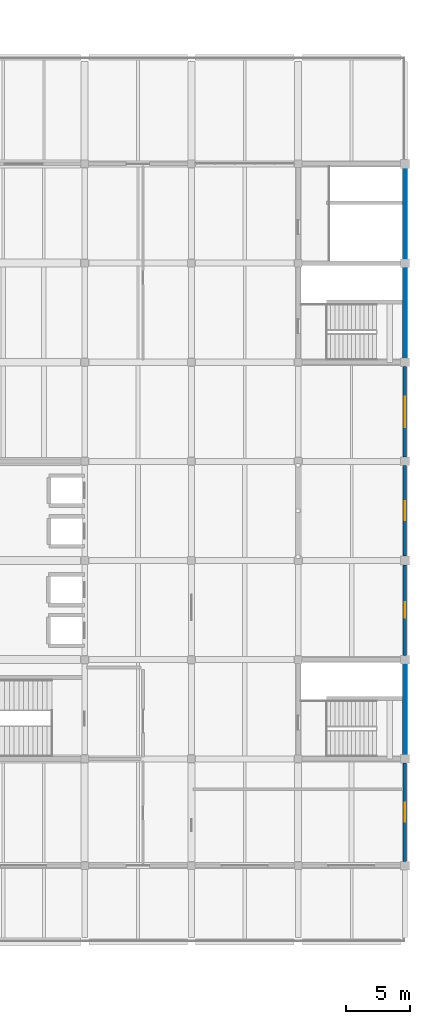
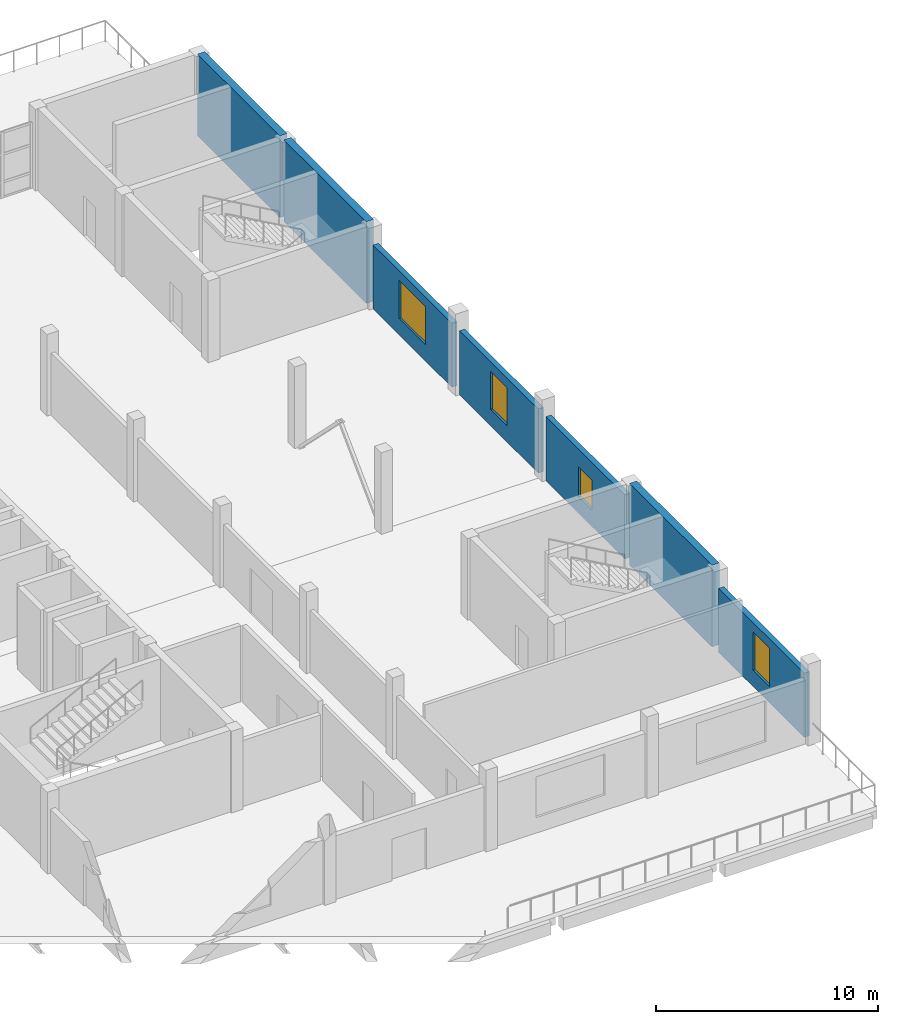
# One storey, part 60 of 71: 7 walls, 4 windows, 4 openings.
"""IFC4 building model written with IfcOpenShell, lengths in metres."""

from ifc_helpers import new_model, si_unit, direction, frame, frame_2d, origin, place, context, subcontext, project, spatial, rectangle, extrude, material, layer, layer_set, type_object, element, fill, save


model = new_model("IFC4")

# Units and contexts
model_context = context("Model", 3, precision=1e-05, world=origin(), true_north=direction((0.0, 1.0)))
body_context = subcontext(model_context, "Body", "Model", "MODEL_VIEW")
ifc_project = project(units=[si_unit("LENGTHUNIT", "METRE"), si_unit("AREAUNIT", "SQUARE_METRE"), si_unit("VOLUMEUNIT", "CUBIC_METRE"), si_unit("PLANEANGLEUNIT", "RADIAN"), si_unit("MASSUNIT", "GRAM", prefix="KILO")], contexts=[model_context])

# Site, building, storey
site_placement = place(None, origin())
site = spatial("IfcSite", under=ifc_project, at=site_placement, CompositionType="ELEMENT")
building_placement = place(site_placement, origin())
building = spatial("IfcBuilding", under=site, at=building_placement, Name="Pellamere Symphony Hall", CompositionType="ELEMENT")
storey_placement = place(building_placement, frame((0.0, 0.0, 15.0)))
storey = spatial("IfcBuildingStorey", under=building, at=storey_placement, Name="L03", CompositionType="ELEMENT", Elevation=15.0)

# Wall, opening, window
ifc_material_1 = material(Name="Architectural Limestone-Clad Insulated Backing Assembly", Category="masonry")
ifc_layer_1 = layer(ifc_material_1, 0.280029296875, Name="Architectural Limestone-Clad Insulated Backing Assembly")
ifc_layer_set_1 = layer_set([ifc_layer_1], Name="Architectural Limestone-Clad Insulated Backing Assembly")
wall_type_1 = type_object("IfcWallType", Name="Exterior Wall EW-03 280mm", PredefinedType="SOLIDWALL", material=ifc_layer_set_1)
wall_1_placement = place(storey_placement, frame((172.800048828125, 30.340087890625, 0.0), z_axis=(0.0, 0.0, 1.0), x_axis=(0.0, 1.0, 0.0)))
wall_1 = element("IfcWall", 1, at=wall_1_placement, inside=storey, type_object=wall_type_1, Name="Exterior Wall EW-03-117 (L03)", PredefinedType="SOLIDWALL", context=body_context, shape_type="SweptSolid", body=[
    extrude(rectangle(XDim=7.719970703125, YDim=0.280029296875, at=frame_2d((3.85986328125, 0.0))), origin(), (0.0, 0.0, 1.0), 3.52001953125),
])
opening_1_placement = place(wall_1_placement, frame((3.110107421875, 0.0, 0.89990234375)))
opening_1 = element("IfcOpeningElement", 2, at=opening_1_placement, cuts=wall_1, Name="Opening W078", PredefinedType="OPENING", context=body_context, shape_type="SweptSolid", body=[
    extrude(rectangle(XDim=1.5, YDim=2.10009765625, at=frame_2d((0.75, 1.050048828125))), frame((0.0, 0.14990234375, 0.0), z_axis=(0.0, -1.0, 0.0), x_axis=(1.0, 0.0, 0.0)), (0.0, 0.0, 1.0), 0.300048828125),
])
ifc_material_2 = material(Name="Thermally Broken Aluminium Triple-Glazed Acoustic Window", Category="aluminium")
window_type_1 = type_object("IfcWindowType", Name="Window WN-01 1500x2100", PartitioningType="SINGLE_PANEL", PredefinedType="WINDOW", material=ifc_material_2)
window_1_placement = place(opening_1_placement, origin())
window_1 = element("IfcWindow", 3, at=window_1_placement, inside=storey, type_object=window_type_1, Name="Exterior Window W078 (L03)", OverallHeight=2.10009765625, OverallWidth=1.5, PartitioningType="SINGLE_PANEL", PredefinedType="WINDOW", context=body_context, shape_type="SweptSolid", body=[
    extrude(rectangle(XDim=1.5, YDim=2.10009765625, at=frame_2d((0.75, 1.050048828125))), frame((0.0, 0.030029296875, 0.0), z_axis=(0.0, -1.0, 0.0), x_axis=(1.0, 0.0, 0.0)), (0.0, 0.0, 1.0), 0.06005859375),
])
fill(opening_1, window_1)

wall_2_placement = place(storey_placement, frame((172.800048828125, 46.5400390625, 0.0), z_axis=(0.0, 0.0, 1.0), x_axis=(0.0, 1.0, 0.0)))
wall_2 = element("IfcWall", 4, at=wall_2_placement, inside=storey, type_object=wall_type_1, Name="Exterior Wall EW-03-118 (L03)", PredefinedType="SOLIDWALL", context=body_context, shape_type="SweptSolid", body=[
    extrude(rectangle(XDim=7.119873046875, YDim=0.280029296875, at=frame_2d((3.56005859375, 0.0))), origin(), (0.0, 0.0, 1.0), 3.52001953125),
])
opening_2_placement = place(wall_2_placement, frame((2.9599609375, 0.0, 0.89990234375)))
opening_2 = element("IfcOpeningElement", 5, at=opening_2_placement, cuts=wall_2, Name="Opening W079", PredefinedType="OPENING", context=body_context, shape_type="SweptSolid", body=[
    extrude(rectangle(XDim=1.199951171875, YDim=1.64990234375, at=frame_2d((0.60009765625, 0.824951171875))), frame((0.0, 0.14990234375, 0.0), z_axis=(0.0, -1.0, 0.0), x_axis=(1.0, 0.0, 0.0)), (0.0, 0.0, 1.0), 0.300048828125),
])
window_type_2 = type_object("IfcWindowType", Name="Window WN-07 1200x1650", PartitioningType="SINGLE_PANEL", PredefinedType="WINDOW", material=ifc_material_2)
window_2_placement = place(opening_2_placement, origin())
window_2 = element("IfcWindow", 6, at=window_2_placement, inside=storey, type_object=window_type_2, Name="Exterior Window W079 (L03)", OverallHeight=1.64990234375, OverallWidth=1.199951171875, PartitioningType="SINGLE_PANEL", PredefinedType="WINDOW", context=body_context, shape_type="SweptSolid", body=[
    extrude(rectangle(XDim=1.199951171875, YDim=1.64990234375, at=frame_2d((0.60009765625, 0.824951171875))), frame((0.0, 0.030029296875, 0.0), z_axis=(0.0, -1.0, 0.0), x_axis=(1.0, 0.0, 0.0)), (0.0, 0.0, 1.0), 0.06005859375),
])
fill(opening_2, window_2)

wall_3_placement = place(storey_placement, frame((172.800048828125, 54.340087890625, 0.0), z_axis=(0.0, 0.0, 1.0), x_axis=(0.0, 1.0, 0.0)))
wall_3 = element("IfcWall", 7, at=wall_3_placement, inside=storey, type_object=wall_type_1, Name="Exterior Wall EW-03-119 (L03)", PredefinedType="SOLIDWALL", context=body_context, shape_type="SweptSolid", body=[
    extrude(rectangle(XDim=7.119873046875, YDim=0.280029296875, at=frame_2d((3.56005859375, 0.0))), origin(), (0.0, 0.0, 1.0), 3.52001953125),
])
opening_3_placement = place(wall_3_placement, frame((2.81005859375, 0.0, 0.89990234375)))
opening_3 = element("IfcOpeningElement", 8, at=opening_3_placement, cuts=wall_3, Name="Opening W080", PredefinedType="OPENING", context=body_context, shape_type="SweptSolid", body=[
    extrude(rectangle(XDim=1.5, YDim=2.10009765625, at=frame_2d((0.75, 1.050048828125))), frame((0.0, 0.14990234375, 0.0), z_axis=(0.0, -1.0, 0.0), x_axis=(1.0, 0.0, 0.0)), (0.0, 0.0, 1.0), 0.300048828125),
])
window_3_placement = place(opening_3_placement, origin())
window_3 = element("IfcWindow", 9, at=window_3_placement, inside=storey, type_object=window_type_1, Name="Exterior Window W080 (L03)", OverallHeight=2.10009765625, OverallWidth=1.5, PartitioningType="SINGLE_PANEL", PredefinedType="WINDOW", context=body_context, shape_type="SweptSolid", body=[
    extrude(rectangle(XDim=1.5, YDim=2.10009765625, at=frame_2d((0.75, 1.050048828125))), frame((0.0, 0.030029296875, 0.0), z_axis=(0.0, -1.0, 0.0), x_axis=(1.0, 0.0, 0.0)), (0.0, 0.0, 1.0), 0.06005859375),
])
fill(opening_3, window_3)

wall_4_placement = place(storey_placement, frame((172.800048828125, 62.139892578125, 0.0), z_axis=(0.0, 0.0, 1.0), x_axis=(0.0, 1.0, 0.0)))
wall_4 = element("IfcWall", 10, at=wall_4_placement, inside=storey, type_object=wall_type_1, Name="Exterior Wall EW-03-120 (L03)", PredefinedType="SOLIDWALL", context=body_context, shape_type="SweptSolid", body=[
    extrude(rectangle(XDim=7.1201171875, YDim=0.280029296875, at=frame_2d((3.56005859375, 0.0))), origin(), (0.0, 0.0, 1.0), 3.52001953125),
])
opening_4_placement = place(wall_4_placement, frame((2.360107421875, 0.0, 0.89990234375)))
opening_4 = element("IfcOpeningElement", 11, at=opening_4_placement, cuts=wall_4, Name="Opening W081", PredefinedType="OPENING", context=body_context, shape_type="SweptSolid", body=[
    extrude(rectangle(XDim=2.39990234375, YDim=2.10009765625, at=frame_2d((1.199951171875, 1.050048828125))), frame((0.0, 0.14990234375, 0.0), z_axis=(0.0, -1.0, 0.0), x_axis=(1.0, 0.0, 0.0)), (0.0, 0.0, 1.0), 0.300048828125),
])
window_type_3 = type_object("IfcWindowType", Name="Window WN-02 2400x2100", PartitioningType="DOUBLE_PANEL_VERTICAL", PredefinedType="WINDOW", material=ifc_material_2)
window_4_placement = place(opening_4_placement, origin())
window_4 = element("IfcWindow", 12, at=window_4_placement, inside=storey, type_object=window_type_3, Name="Exterior Window W081 (L03)", OverallHeight=2.10009765625, OverallWidth=2.39990234375, PartitioningType="SINGLE_PANEL", PredefinedType="WINDOW", context=body_context, shape_type="SweptSolid", body=[
    extrude(rectangle(XDim=2.39990234375, YDim=2.10009765625, at=frame_2d((1.199951171875, 1.050048828125))), frame((0.0, 0.030029296875, 0.0), z_axis=(0.0, -1.0, 0.0), x_axis=(1.0, 0.0, 0.0)), (0.0, 0.0, 1.0), 0.06005859375),
])
fill(opening_4, window_4)

# Walls
ifc_material_3 = material(Name="Concrete 40 MPa", Category="concrete")
ifc_layer_2 = layer(ifc_material_3, 0.3798828125, Name="Concrete 40 MPa")
ifc_layer_set_2 = layer_set([ifc_layer_2], Name="Concrete 40 MPa")
wall_type_2 = type_object("IfcWallType", Name="Structural Wall SW-07 380mm", PredefinedType="SHEAR", material=ifc_layer_set_2)
wall_5_placement = place(storey_placement, frame((172.800048828125, 69.77490234375, 0.0), z_axis=(0.0, 0.0, 1.0), x_axis=(0.0, 1.0, 0.0)))
element("IfcWall", 13, at=wall_5_placement, inside=storey, type_object=wall_type_2, Name="Stair ST05 Enclosure Wall E (L03)", PredefinedType="SHEAR", context=body_context, shape_type="SweptSolid", body=[
    extrude(rectangle(XDim=7.4501953125, YDim=0.3798828125, at=frame_2d((3.72509765625, 0.0))), origin(), (0.0, 0.0, 1.0), 4.5),
])
for number, where, z_axis, x_axis, name in (
    (14, (172.800048828125, 38.574951171875, 0.0), (0.0, 0.0, 1.0), (0.0, 1.0, 0.0), "Stair ST06 Enclosure Wall E (L03)"),
    (15, (172.800048828125, 77.574951171875, 0.0), (0.0, 0.0, 1.0), (0.0, 1.0, 0.0), "Stair ST14 Enclosure Wall E (L03)"),
):
    element("IfcWall", number, at=place(storey_placement, frame(where, z_axis=z_axis, x_axis=x_axis)), inside=storey, type_object=wall_type_2, Name=name, PredefinedType="SHEAR", context=body_context, shape_type="SweptSolid", body=[
        extrude(rectangle(XDim=7.449951171875, YDim=0.3798828125, at=frame_2d((3.72509765625, 0.0))), origin(), (0.0, 0.0, 1.0), 4.5),
    ])

save(model, "model.ifc")
